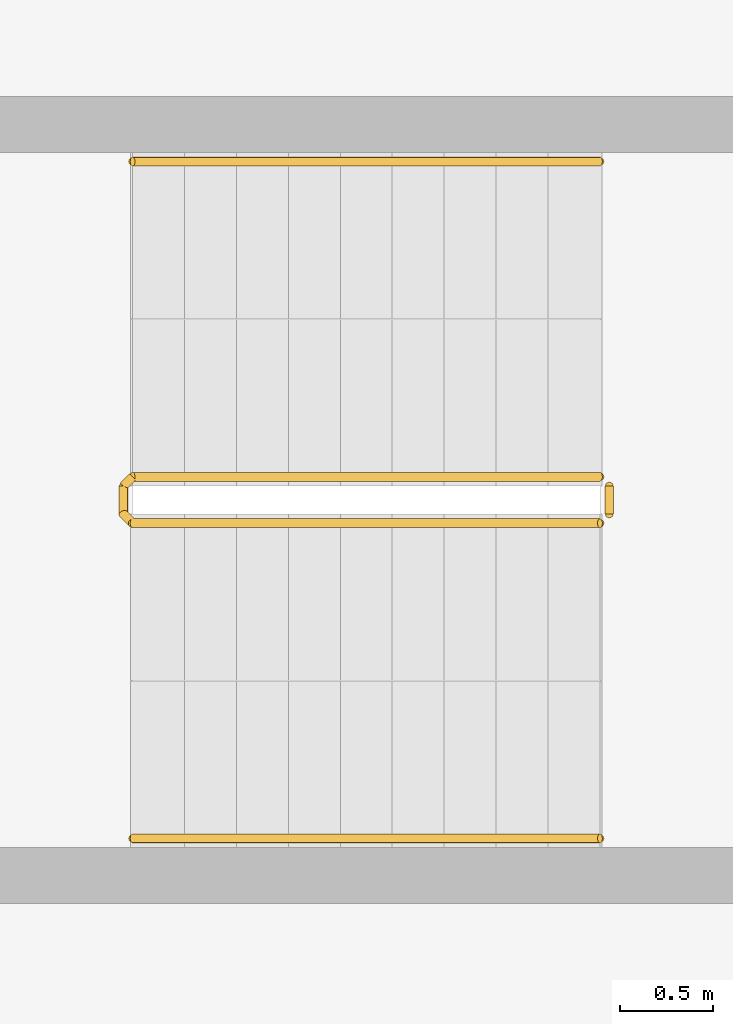
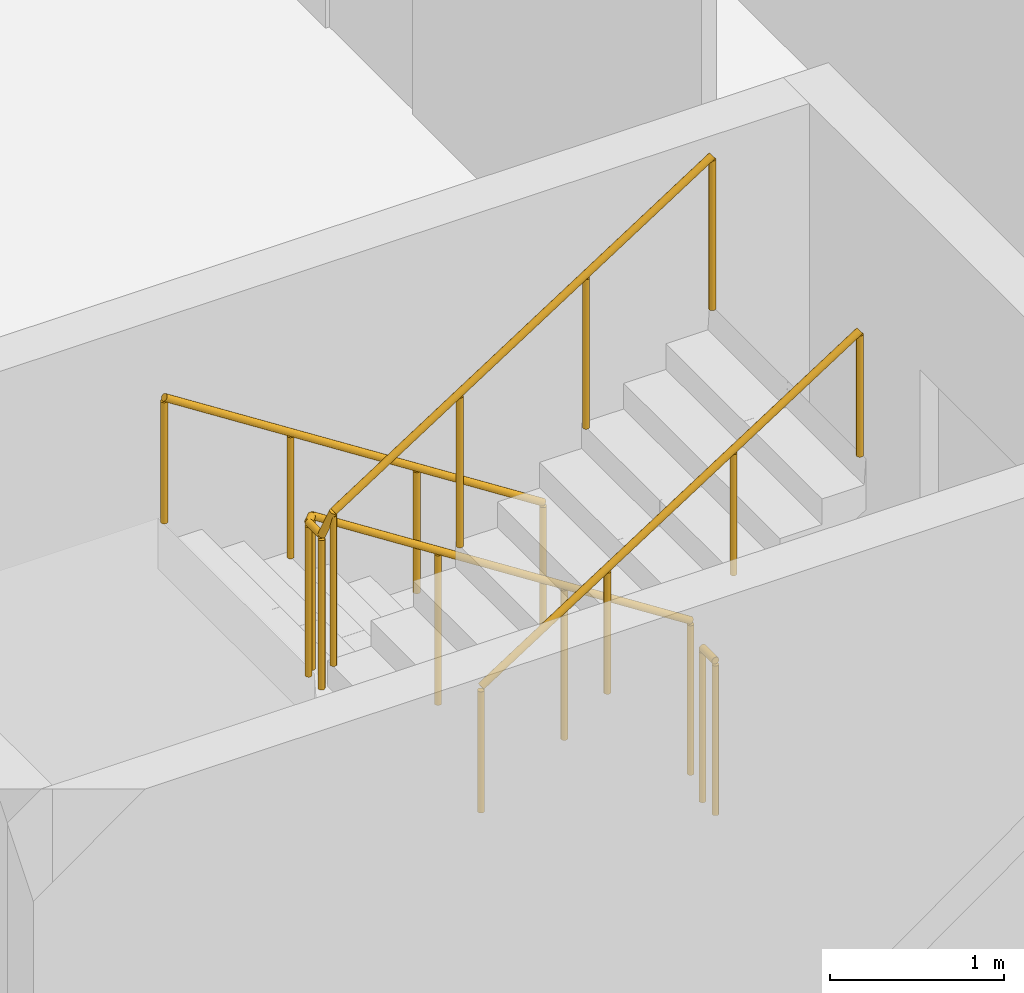
# One storey, part 24 of 27: 4 railings.
"""IFC4 building model written with IfcOpenShell, lengths in metres."""

from ifc_helpers import new_model, si_unit, direction, frame, origin, origin_2d, place, context, subcontext, project, spatial, circle, extrude, material, type_object, element, save


model = new_model("IFC4")

# Units and contexts
model_context = context("Model", 3, precision=1e-05, world=origin(), true_north=direction((0.0, 1.0)))
body_context = subcontext(model_context, "Body", "Model", "MODEL_VIEW")
ifc_project = project(units=[si_unit("LENGTHUNIT", "METRE"), si_unit("AREAUNIT", "SQUARE_METRE"), si_unit("VOLUMEUNIT", "CUBIC_METRE"), si_unit("PLANEANGLEUNIT", "RADIAN"), si_unit("MASSUNIT", "GRAM", prefix="KILO")], contexts=[model_context])

# Site, building, storey
site_placement = place(None, origin())
site = spatial("IfcSite", under=ifc_project, at=site_placement, CompositionType="ELEMENT")
building_placement = place(site_placement, origin())
building = spatial("IfcBuilding", under=site, at=building_placement, Name="Wharfspan Tower", CompositionType="ELEMENT")
storey_placement = place(building_placement, frame((0.0, 0.0, 136.300049)))
storey = spatial("IfcBuildingStorey", under=building, at=storey_placement, Name="L32", CompositionType="ELEMENT", Elevation=136.300049)

# Railings
ifc_material = material(Name="Steel S355J2", Category="steel")
railing_type_1 = type_object("IfcRailingType", Name="Stair guard 1100", PredefinedType="GUARDRAIL", material=ifc_material)
railing_1_placement = place(storey_placement, frame((13.899902, 22.824951, 0.179932)))
element("IfcRailing", 1, at=railing_1_placement, inside=storey, type_object=railing_type_1, Name="L32 ST3 stair guard 1", PredefinedType="GUARDRAIL", context=body_context, shape_type="SweptSolid", body=[
    extrude(circle(Radius=0.023926, at=origin_2d()), frame((0.0, 0.0, 1.076172), z_axis=(-0.841163, 0.0, 0.540782), x_axis=(0.0, -1.0, 0.0)), (0.0, 0.0, 1.0), 2.99585),
    extrude(circle(Radius=0.023926, at=origin_2d()), frame((-2.52002, 0.0, 2.696289), z_axis=(-0.705376, -0.708834, 0.0), x_axis=(0.708834, -0.705376, 0.0)), (0.0, 0.0, 1.0), 0.070557),
    extrude(circle(Radius=0.023926, at=origin_2d()), frame((-2.569824, -0.050049, 2.696289), z_axis=(0.0, -1.0, 0.0), x_axis=(1.0, 0.0, 0.0)), (0.0, 0.0, 1.0), 0.149902),
    extrude(circle(Radius=0.023926, at=origin_2d()), frame((-2.569824, -0.199951, 2.696289), z_axis=(0.257669, -0.258932, 0.930892), x_axis=(0.708833, 0.705372, -1e-06)), (0.0, 0.0, 1.0), 0.193359),
    extrude(circle(Radius=0.023926, at=origin_2d()), frame((-2.52002, -0.25, 2.875977), z_axis=(0.8412, 0.0, 0.540725), x_axis=(0.0, 1.0, 0.0)), (0.0, 0.0, 1.0), 2.99585),
    extrude(circle(Radius=0.020996, at=origin_2d()), origin(), (0.0, 0.0, 1.0), 1.052002),
    extrude(circle(Radius=0.020996, at=origin_2d()), frame((-0.840088, 0.0, 0.540039)), (0.0, 0.0, 1.0), 1.052002),
    extrude(circle(Radius=0.020996, at=origin_2d()), frame((-1.679932, 0.0, 1.080078)), (0.0, 0.0, 1.0), 1.052002),
    extrude(circle(Radius=0.020996, at=origin_2d()), frame((-2.52002, 0.0, 1.620117)), (0.0, 0.0, 1.0), 1.052002),
    extrude(circle(Radius=0.020996, at=origin_2d()), frame((-2.569824, -0.050049, 1.620117)), (0.0, 0.0, 1.0), 1.052002),
    extrude(circle(Radius=0.020996, at=origin_2d()), frame((-2.569824, -0.199951, 1.620117)), (0.0, 0.0, 1.0), 1.052002),
    extrude(circle(Radius=0.020996, at=origin_2d()), frame((-2.52002, -0.25, 1.800049)), (0.0, 0.0, 1.0), 1.052002),
    extrude(circle(Radius=0.020996, at=origin_2d()), frame((-1.679932, -0.25, 2.340088)), (0.0, 0.0, 1.0), 1.052002),
    extrude(circle(Radius=0.020996, at=origin_2d()), frame((-0.840088, -0.25, 2.879883)), (0.0, 0.0, 1.0), 1.052002),
    extrude(circle(Radius=0.020996, at=origin_2d()), frame((0.0, -0.25, 3.419922)), (0.0, 0.0, 1.0), 1.052002),
])
railing_2_placement = place(storey_placement, frame((13.949951, 22.774902, 0.0)))
element("IfcRailing", 2, at=railing_2_placement, inside=storey, type_object=railing_type_1, Name="L32 ST3 stair guard 2", PredefinedType="GUARDRAIL", context=body_context, shape_type="SweptSolid", body=[
    extrude(circle(Radius=0.023926, at=origin_2d()), frame((0.0, 0.0, 1.076172), z_axis=(0.0, -1.0, 0.0), x_axis=(1.0, 0.0, 0.0)), (0.0, 0.0, 1.0), 0.149902),
    extrude(circle(Radius=0.020996, at=origin_2d()), origin(), (0.0, 0.0, 1.0), 1.052002),
    extrude(circle(Radius=0.020996, at=origin_2d()), frame((0.0, -0.149902, 0.0)), (0.0, 0.0, 1.0), 1.052002),
])
railing_type_2 = type_object("IfcRailingType", Name="Stair handrail 900", PredefinedType="HANDRAIL", material=ifc_material)
railing_3_placement = place(storey_placement, frame((13.899902, 24.524902, 0.179932)))
element("IfcRailing", 3, at=railing_3_placement, inside=storey, type_object=railing_type_2, Name="L32 ST3 stair handrail 1", PredefinedType="HANDRAIL", context=body_context, shape_type="SweptSolid", body=[
    extrude(circle(Radius=0.023926, at=origin_2d()), frame((0.0, 0.0, 0.875977), z_axis=(-0.841163, 0.0, 0.540782), x_axis=(0.0, -1.0, 0.0)), (0.0, 0.0, 1.0), 2.99585),
    extrude(circle(Radius=0.020996, at=origin_2d()), origin(), (0.0, 0.0, 1.0), 0.851807),
    extrude(circle(Radius=0.020996, at=origin_2d()), frame((-0.840088, 0.0, 0.540039)), (0.0, 0.0, 1.0), 0.851807),
    extrude(circle(Radius=0.020996, at=origin_2d()), frame((-1.679932, 0.0, 1.080078)), (0.0, 0.0, 1.0), 0.851807),
    extrude(circle(Radius=0.020996, at=origin_2d()), frame((-2.52002, 0.0, 1.620117)), (0.0, 0.0, 1.0), 0.851807),
])
railing_4_placement = place(storey_placement, frame((11.379883, 20.875, 1.97998)))
element("IfcRailing", 4, at=railing_4_placement, inside=storey, type_object=railing_type_2, Name="L32 ST3 stair handrail 2", PredefinedType="HANDRAIL", context=body_context, shape_type="SweptSolid", body=[
    extrude(circle(Radius=0.023926, at=origin_2d()), frame((0.0, 0.0, 0.875977), z_axis=(0.8412, 0.0, 0.540725), x_axis=(0.0, 1.0, 0.0)), (0.0, 0.0, 1.0), 2.99585),
    extrude(circle(Radius=0.020996, at=origin_2d()), origin(), (0.0, 0.0, 1.0), 0.851807),
    extrude(circle(Radius=0.020996, at=origin_2d()), frame((0.840088, 0.0, 0.540039)), (0.0, 0.0, 1.0), 0.851807),
    extrude(circle(Radius=0.020996, at=origin_2d()), frame((1.679932, 0.0, 1.079834)), (0.0, 0.0, 1.0), 0.851807),
    extrude(circle(Radius=0.020996, at=origin_2d()), frame((2.52002, 0.0, 1.619873)), (0.0, 0.0, 1.0), 0.851807),
])

save(model, "model.ifc")
